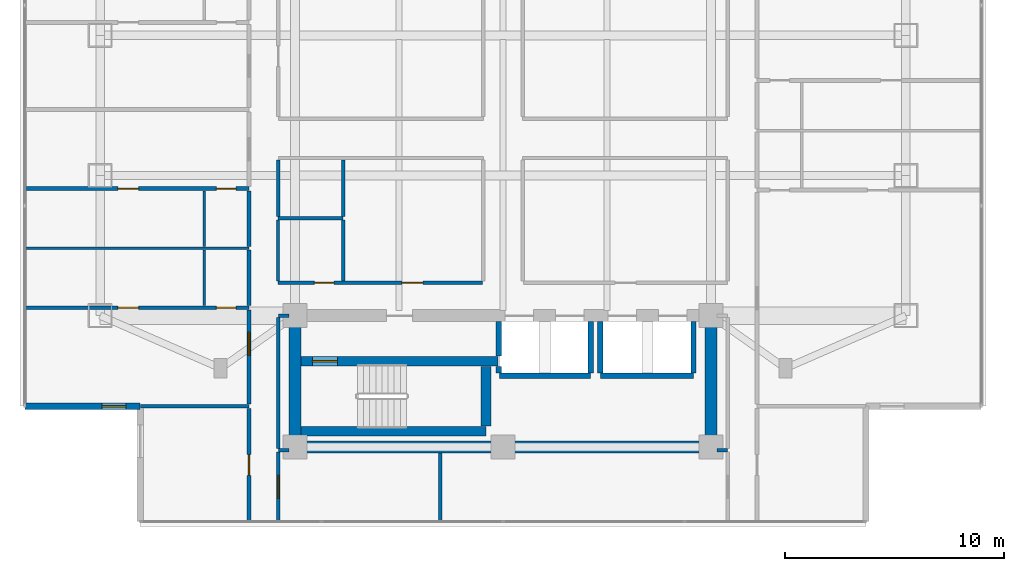
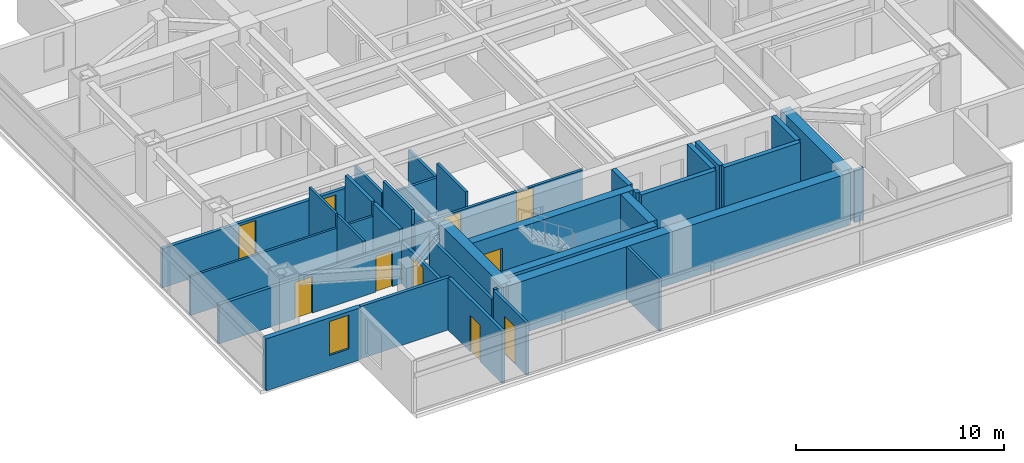
# One storey, part 13 of 24: 36 walls, 10 doors, 1 window, 11 openings.
"""IFC4 building model written with IfcOpenShell, lengths in metres."""

from ifc_helpers import new_model, si_unit, direction, frame, frame_2d, origin, place, context, subcontext, project, spatial, rectangle, extrude, material, layer, layer_set, type_object, element, fill, save


model = new_model("IFC4")

# Units and contexts
model_context = context("Model", 3, precision=1e-05, world=origin(), true_north=direction((0.0, 1.0)))
body_context = subcontext(model_context, "Body", "Model", "MODEL_VIEW")
ifc_project = project(units=[si_unit("LENGTHUNIT", "METRE"), si_unit("AREAUNIT", "SQUARE_METRE"), si_unit("VOLUMEUNIT", "CUBIC_METRE"), si_unit("PLANEANGLEUNIT", "RADIAN"), si_unit("MASSUNIT", "GRAM", prefix="KILO")], contexts=[model_context])

# Site, building, storey
site_placement = place(None, origin())
site = spatial("IfcSite", under=ifc_project, at=site_placement, CompositionType="ELEMENT")
building_placement = place(site_placement, origin())
building = spatial("IfcBuilding", under=site, at=building_placement, Name="Mirazonda Arch Towers", CompositionType="ELEMENT")
storey_placement = place(building_placement, frame((0.0, 0.0, 141.199951171875)))
storey = spatial("IfcBuildingStorey", under=building, at=storey_placement, Name="L40", CompositionType="ELEMENT", Elevation=141.199951171875)

# Wall
ifc_material_1 = material(Name="Concrete C50/60", Category="concrete")
ifc_layer_1 = layer(ifc_material_1, 0.449951171875, Name="WALL-CORE-450")
ifc_layer_set_1 = layer_set([ifc_layer_1], Name="Concrete C50/60")
wall_type_1 = type_object("IfcWallType", Name="WALL-CORE-450", PredefinedType="SHEAR", material=ifc_layer_set_1)
wall_1_placement = place(storey_placement, frame((11.27001953125, 13.1201171875, 0.0), z_axis=(0.0, 0.0, 1.0), x_axis=(1.0, 0.0, 0.0)))
element("IfcWall", 1, at=wall_1_placement, inside=storey, type_object=wall_type_1, Name="L40 Stair Core Shear Wall 003", PredefinedType="SHEAR", context=body_context, shape_type="SweptSolid", body=[
    extrude(rectangle(XDim=8.4599609375, YDim=0.449951171875, at=frame_2d((4.22998046875, 0.0))), origin(), (0.0, 0.0, 1.0), 3.080078125),
])

# Wall, opening, door
wall_2_placement = place(storey_placement, frame((11.27001953125, 16.320068359375, 0.0), z_axis=(0.0, 0.0, 1.0), x_axis=(1.0, 0.0, 0.0)))
wall_2 = element("IfcWall", 2, at=wall_2_placement, inside=storey, type_object=wall_type_1, Name="L40 Stair Core Shear Wall 008", PredefinedType="SHEAR", context=body_context, shape_type="SweptSolid", body=[
    extrude(rectangle(XDim=9.010009765625, YDim=0.449951171875, at=frame_2d((4.5048828125, 0.0))), origin(), (0.0, 0.0, 1.0), 3.080078125),
])
opening_1_placement = place(wall_2_placement, frame((0.52001953125, 0.0, 0.0)))
opening_1 = element("IfcOpeningElement", 3, at=opening_1_placement, cuts=wall_2, Name="Opening DR-135", PredefinedType="OPENING", context=body_context, shape_type="SweptSolid", body=[
    extrude(rectangle(XDim=1.14990234375, YDim=2.199951171875, at=frame_2d((0.574951171875, 1.10009765625))), frame((0.0, 0.23486328125, 0.0), z_axis=(0.0, -1.0, 0.0), x_axis=(1.0, 0.0, 0.0)), (0.0, 0.0, 1.0), 0.469970703125),
])
ifc_material_2 = material(Name="Architectural Brushed Steel S355", Category="steel")
door_type_1 = type_object("IfcDoorType", Name="DOOR-STAIR-FD90-1150", OperationType="NOTDEFINED", PredefinedType="DOOR", material=ifc_material_2)
door_1_placement = place(opening_1_placement, origin())
door_1 = element("IfcDoor", 4, at=door_1_placement, inside=storey, type_object=door_type_1, Name="L40 Protected Exit Stair South Door", OperationType="SINGLE_SWING_RIGHT", OverallHeight=2.199951171875, OverallWidth=1.14990234375, PredefinedType="DOOR", context=body_context, shape_type="SweptSolid", body=[
    extrude(rectangle(XDim=1.14990234375, YDim=2.199951171875, at=frame_2d((0.574951171875, 1.10009765625))), frame((0.0, 0.02490234375, 0.0), z_axis=(0.0, -1.0, 0.0), x_axis=(1.0, 0.0, 0.0)), (0.0, 0.0, 1.0), 0.050048828125),
])
fill(opening_1, door_1)

# Walls
wall_3_placement = place(storey_placement, frame((19.72998046875, 13.35498046875, 0.0), z_axis=(0.0, 0.0, 1.0), x_axis=(0.0, 1.0, 0.0)))
element("IfcWall", 5, at=wall_3_placement, inside=storey, type_object=wall_type_1, Name="L40 Stair Core Shear Wall 091", PredefinedType="SHEAR", context=body_context, shape_type="SweptSolid", body=[
    extrude(rectangle(XDim=2.72998046875, YDim=0.449951171875, at=frame_2d((1.364990234375, 0.0))), origin(), (0.0, 0.0, 1.0), 3.080078125),
])
ifc_layer_2 = layer(ifc_material_1, 0.550048828125, Name="WALL-CORE-550")
ifc_layer_set_2 = layer_set([ifc_layer_2], Name="Concrete C50/60")
wall_type_2 = type_object("IfcWallType", Name="WALL-CORE-550", PredefinedType="SHEAR", material=ifc_layer_set_2)
wall_4_placement = place(storey_placement, frame((11.0, 12.39990234375, 0.0), z_axis=(0.0, 0.0, 1.0), x_axis=(1.0, 0.0, 0.0)))
element("IfcWall", 6, at=wall_4_placement, inside=storey, type_object=wall_type_2, Name="L40 T1S-S Core Shear Wall", PredefinedType="SHEAR", context=body_context, shape_type="SweptSolid", body=[
    extrude(rectangle(XDim=19.0, YDim=0.550048828125, at=frame_2d((9.5, 0.0))), origin(), (0.0, 0.0, 1.0), 3.080078125),
])
for number, where, z_axis, x_axis, name in (
    (7, (11.0, 12.39990234375, 0.0), (0.0, 0.0, 1.0), (0.0, 1.0, 0.0), "L40 T1S-W Core Shear Wall"),
    (8, (30.0, 12.39990234375, 0.0), (0.0, 0.0, 1.0), (0.0, 1.0, 0.0), "L40 T1S-E Core Shear Wall"),
):
    element("IfcWall", number, at=place(storey_placement, frame(where, z_axis=z_axis, x_axis=x_axis)), inside=storey, type_object=wall_type_2, Name=name, PredefinedType="SHEAR", context=body_context, shape_type="SweptSolid", body=[
        extrude(rectangle(XDim=6.0, YDim=0.550048828125, at=frame_2d((3.0, 0.0))), origin(), (0.0, 0.0, 1.0), 3.080078125),
    ])

# Wall, opening, window
ifc_material_3 = material(Name="Precast Concrete C40/50", Category="concrete")
ifc_layer_3 = layer(ifc_material_3, 0.280029296875, Name="WALL-EXT-WALL-280")
ifc_layer_set_3 = layer_set([ifc_layer_3], Name="Precast Concrete C40/50")
wall_type_3 = type_object("IfcWallType", Name="WALL-EXT-WALL-280", PredefinedType="SOLIDWALL", material=ifc_layer_set_3)
wall_5_placement = place(storey_placement, frame((-1.340087890625, 14.263916015625, 0.0), z_axis=(0.0, 0.0, 1.0), x_axis=(1.0, 0.0, 0.0)))
wall_5 = element("IfcWall", 9, at=wall_5_placement, inside=storey, type_object=wall_type_3, Name="L40 T1 Corner Notch Return Wall WL-L40-T1-CSW2", PredefinedType="SOLIDWALL", context=body_context, shape_type="SweptSolid", body=[
    extrude(rectangle(XDim=5.27001953125, YDim=0.280029296875, at=frame_2d((2.635009765625, 0.0))), origin(), (0.0, 0.0, 1.0), 3.06005859375),
])
opening_2_placement = place(wall_5_placement, frame((3.52001953125, 0.0, 0.85009765625)))
opening_2 = element("IfcOpeningElement", 10, at=opening_2_placement, cuts=wall_5, Name="Opening WN-108", PredefinedType="OPENING", context=body_context, shape_type="SweptSolid", body=[
    extrude(rectangle(XDim=1.10009765625, YDim=2.0, at=frame_2d((0.550048828125, 1.0))), frame((0.0, 0.14990234375, 0.0), z_axis=(0.0, -1.0, 0.0), x_axis=(1.0, 0.0, 0.0)), (0.0, 0.0, 1.0), 0.300048828125),
])
ifc_material_4 = material(Name="Insulated Low-E Solar Glass", Category="glass")
window_type = type_object("IfcWindowType", Name="WIN-NOTCH-1100x2000", PartitioningType="SINGLE_PANEL", PredefinedType="WINDOW", material=ifc_material_4)
window_placement = place(opening_2_placement, origin())
window = element("IfcWindow", 11, at=window_placement, inside=storey, type_object=window_type, Name="L40 Punched Facade Window WN-L40-T1-CSW2", OverallHeight=2.0, OverallWidth=1.10009765625, PartitioningType="SINGLE_PANEL", PredefinedType="WINDOW", context=body_context, shape_type="SweptSolid", body=[
    extrude(rectangle(XDim=1.10009765625, YDim=2.0, at=frame_2d((0.550048828125, 1.0))), frame((0.0, 0.030029296875, 0.0), z_axis=(0.0, -1.0, 0.0), x_axis=(1.0, 0.0, 0.0)), (0.0, 0.0, 1.0), 0.06005859375),
])
fill(opening_2, window)

# Walls
ifc_material_5 = material(Name="Fire-Rated Gypsum Stud Partition")
ifc_layer_4 = layer(ifc_material_5, 0.14990234375, Name="WALL-PART-CORR-150")
ifc_layer_set_4 = layer_set([ifc_layer_4], Name="Fire-Rated Gypsum Stud Partition")
wall_type_4 = type_object("IfcWallType", Name="WALL-PART-CORR-150", PredefinedType="PARTITIONING", material=ifc_layer_set_4)
for number, where, z_axis, x_axis, name in (
    (12, (10.239990234375, 12.25, 0.0), (0.0, 0.0, 1.0), (1.0, 0.0, 0.0), "L40 Interior Partition 001"),
    (13, (30.27001953125, 12.25, 0.0), (0.0, 0.0, 1.0), (1.0, 0.0, 0.0), "L40 Interior Partition 002"),
):
    element("IfcWall", number, at=place(storey_placement, frame(where, z_axis=z_axis, x_axis=x_axis)), inside=storey, type_object=wall_type_4, Name=name, PredefinedType="PARTITIONING", context=body_context, shape_type="SweptSolid", body=[
        extrude(rectangle(XDim=0.489990234375, YDim=0.14990234375, at=frame_2d((0.2451171875, 0.0))), origin(), (0.0, 0.0, 1.0), 3.080078125),
    ])
wall_6_placement = place(storey_placement, frame((10.239990234375, 18.39990234375, 0.0), z_axis=(0.0, 0.0, 1.0), x_axis=(1.0, 0.0, 0.0)))
element("IfcWall", 14, at=wall_6_placement, inside=storey, type_object=wall_type_4, Name="L40 Interior Partition 012", PredefinedType="PARTITIONING", context=body_context, shape_type="SweptSolid", body=[
    extrude(rectangle(XDim=0.489990234375, YDim=0.14990234375, at=frame_2d((0.2451171875, 0.0))), origin(), (0.0, 0.0, 1.0), 2.4560546875),
])

# Wall, openings, doors
wall_7_placement = place(storey_placement, frame((10.219970703125, 19.89990234375, 0.0), z_axis=(0.0, 0.0, 1.0), x_axis=(1.0, 0.0, 0.0)))
wall_7 = element("IfcWall", 15, at=wall_7_placement, inside=storey, type_object=wall_type_4, Name="L40 Interior Partition 016", PredefinedType="PARTITIONING", context=body_context, shape_type="SweptSolid", body=[
    extrude(rectangle(XDim=9.340087890625, YDim=0.14990234375, at=frame_2d((4.669921875, 0.0))), origin(), (0.0, 0.0, 1.0), 2.216064453125),
])
opening_3_placement = place(wall_7_placement, frame((1.659912109375, 0.0, 0.0)))
opening_3 = element("IfcOpeningElement", 16, at=opening_3_placement, cuts=wall_7, Name="Opening DR-120", PredefinedType="OPENING", context=body_context, shape_type="SweptSolid", body=[
    extrude(rectangle(XDim=0.89990234375, YDim=2.10009765625, at=frame_2d((0.449951171875, 1.050048828125))), frame((0.0, 0.0849609375, 0.0), z_axis=(0.0, -1.0, 0.0), x_axis=(1.0, 0.0, 0.0)), (0.0, 0.0, 1.0), 0.169921875),
])
opening_4_placement = place(wall_7_placement, frame((5.6650390625, 0.0, 0.0)))
opening_4 = element("IfcOpeningElement", 17, at=opening_4_placement, cuts=wall_7, Name="Opening DR-104", PredefinedType="OPENING", context=body_context, shape_type="SweptSolid", body=[
    extrude(rectangle(XDim=0.949951171875, YDim=2.14990234375, at=frame_2d((0.47509765625, 1.074951171875))), frame((0.0, 0.0849609375, 0.0), z_axis=(0.0, -1.0, 0.0), x_axis=(1.0, 0.0, 0.0)), (0.0, 0.0, 1.0), 0.169921875),
])
door_type_2 = type_object("IfcDoorType", Name="DOOR-ROOM-950", OperationType="NOTDEFINED", PredefinedType="DOOR", material=ifc_material_2)
door_2_placement = place(opening_4_placement, origin())
door_2 = element("IfcDoor", 18, at=door_2_placement, inside=storey, type_object=door_type_2, Name="L40 L40 West Courtyard Study Door", OperationType="SINGLE_SWING_RIGHT", OverallHeight=2.14990234375, OverallWidth=0.949951171875, PredefinedType="DOOR", context=body_context, shape_type="SweptSolid", body=[
    extrude(rectangle(XDim=0.949951171875, YDim=2.14990234375, at=frame_2d((0.47509765625, 1.074951171875))), frame((0.0, 0.02490234375, 0.0), z_axis=(0.0, -1.0, 0.0), x_axis=(1.0, 0.0, 0.0)), (0.0, 0.0, 1.0), 0.050048828125),
])
fill(opening_4, door_2)
door_type_3 = type_object("IfcDoorType", Name="DOOR-WC-900", OperationType="NOTDEFINED", PredefinedType="DOOR", material=ifc_material_2)
door_3_placement = place(opening_3_placement, origin())
door_3 = element("IfcDoor", 19, at=door_3_placement, inside=storey, type_object=door_type_3, Name="L40 Common Accessible WC Door", OperationType="SINGLE_SWING_LEFT", OverallHeight=2.10009765625, OverallWidth=0.89990234375, PredefinedType="DOOR", context=body_context, shape_type="SweptSolid", body=[
    extrude(rectangle(XDim=0.89990234375, YDim=2.10009765625, at=frame_2d((0.449951171875, 1.050048828125))), frame((0.0, 0.02490234375, 0.0), z_axis=(0.0, -1.0, 0.0), x_axis=(1.0, 0.0, 0.0)), (0.0, 0.0, 1.0), 0.050048828125),
])
fill(opening_3, door_3)

# Walls
wall_8_placement = place(storey_placement, frame((10.219970703125, 22.85009765625, 0.0), z_axis=(0.0, 0.0, 1.0), x_axis=(1.0, 0.0, 0.0)))
element("IfcWall", 20, at=wall_8_placement, inside=storey, type_object=wall_type_4, Name="L40 Interior Partition 024", PredefinedType="PARTITIONING", context=body_context, shape_type="SweptSolid", body=[
    extrude(rectangle(XDim=2.97998046875, YDim=0.14990234375, at=frame_2d((1.489990234375, 0.0))), origin(), (0.0, 0.0, 1.0), 2.216064453125),
])
wall_9_placement = place(storey_placement, frame((10.219970703125, 19.985107421875, 0.0), z_axis=(0.0, 0.0, 1.0), x_axis=(0.0, 1.0, 0.0)))
element("IfcWall", 21, at=wall_9_placement, inside=storey, type_object=wall_type_4, Name="L40 Interior Partition 077", PredefinedType="PARTITIONING", context=body_context, shape_type="SweptSolid", body=[
    extrude(rectangle(XDim=2.77978515625, YDim=0.14990234375, at=frame_2d((1.389892578125, 0.0))), origin(), (0.0, 0.0, 1.0), 3.080078125),
])

# Wall, opening, door
wall_10_placement = place(storey_placement, frame((10.239990234375, 8.993896484375, 0.0), z_axis=(0.0, 0.0, 1.0), x_axis=(0.0, 1.0, 0.0)))
wall_10 = element("IfcWall", 22, at=wall_10_placement, inside=storey, type_object=wall_type_4, Name="L40 Interior Partition 078", PredefinedType="PARTITIONING", context=body_context, shape_type="SweptSolid", body=[
    extrude(rectangle(XDim=3.171142578125, YDim=0.14990234375, at=frame_2d((1.58544921875, 0.0))), origin(), (0.0, 0.0, 1.0), 3.080078125),
])
opening_5_placement = place(wall_10_placement, frame((1.060546875, 0.0, 0.0)))
opening_5 = element("IfcOpeningElement", 23, at=opening_5_placement, cuts=wall_10, Name="Opening DR-121", PredefinedType="OPENING", context=body_context, shape_type="SweptSolid", body=[
    extrude(rectangle(XDim=1.050048828125, YDim=2.199951171875, at=frame_2d((0.52490234375, 1.10009765625))), frame((0.0, 0.0849609375, 0.0), z_axis=(0.0, -1.0, 0.0), x_axis=(1.0, 0.0, 0.0)), (0.0, 0.0, 1.0), 0.169921875),
])
door_type_4 = type_object("IfcDoorType", Name="DOOR-SUITE-FD60-1050", OperationType="NOTDEFINED", PredefinedType="DOOR", material=ifc_material_2)
door_4_placement = place(opening_5_placement, origin())
door_4 = element("IfcDoor", 24, at=door_4_placement, inside=storey, type_object=door_type_4, Name="L40 South Horizon Lounge Minor Door", OperationType="SINGLE_SWING_RIGHT", OverallHeight=2.199951171875, OverallWidth=1.050048828125, PredefinedType="DOOR", context=body_context, shape_type="SweptSolid", body=[
    extrude(rectangle(XDim=1.050048828125, YDim=2.199951171875, at=frame_2d((0.52490234375, 1.10009765625))), frame((0.0, 0.02490234375, 0.0), z_axis=(0.0, -1.0, 0.0), x_axis=(1.0, 0.0, 0.0)), (0.0, 0.0, 1.0), 0.050048828125),
])
fill(opening_5, door_4)

# Walls
wall_11_placement = place(storey_placement, frame((10.239990234375, 12.3349609375, 0.0), z_axis=(0.0, 0.0, 1.0), x_axis=(0.0, 1.0, 0.0)))
element("IfcWall", 25, at=wall_11_placement, inside=storey, type_object=wall_type_4, Name="L40 Interior Partition 079", PredefinedType="PARTITIONING", context=body_context, shape_type="SweptSolid", body=[
    extrude(rectangle(XDim=5.97998046875, YDim=0.14990234375, at=frame_2d((2.989990234375, 0.0))), origin(), (0.0, 0.0, 1.0), 2.4560546875),
])
wall_12_placement = place(storey_placement, frame((10.239990234375, 22.93505859375, 0.0), z_axis=(0.0, 0.0, 1.0), x_axis=(0.0, 1.0, 0.0)))
element("IfcWall", 26, at=wall_12_placement, inside=storey, type_object=wall_type_4, Name="L40 Interior Partition 080", PredefinedType="PARTITIONING", context=body_context, shape_type="SweptSolid", body=[
    extrude(rectangle(XDim=2.579833984375, YDim=0.14990234375, at=frame_2d((1.2900390625, 0.0))), origin(), (0.0, 0.0, 1.0), 2.299072265625),
])
wall_13_placement = place(storey_placement, frame((13.199951171875, 19.985107421875, 0.0), z_axis=(0.0, 0.0, 1.0), x_axis=(0.0, 1.0, 0.0)))
element("IfcWall", 27, at=wall_13_placement, inside=storey, type_object=wall_type_4, Name="L40 Interior Partition 085", PredefinedType="PARTITIONING", context=body_context, shape_type="SweptSolid", body=[
    extrude(rectangle(XDim=2.77978515625, YDim=0.14990234375, at=frame_2d((1.389892578125, 0.0))), origin(), (0.0, 0.0, 1.0), 3.080078125),
])
wall_14_placement = place(storey_placement, frame((13.199951171875, 22.93505859375, 0.0), z_axis=(0.0, 0.0, 1.0), x_axis=(0.0, 1.0, 0.0)))
element("IfcWall", 28, at=wall_14_placement, inside=storey, type_object=wall_type_4, Name="L40 Interior Partition 086", PredefinedType="PARTITIONING", context=body_context, shape_type="SweptSolid", body=[
    extrude(rectangle(XDim=2.579833984375, YDim=0.14990234375, at=frame_2d((1.2900390625, 0.0))), origin(), (0.0, 0.0, 1.0), 2.216064453125),
])
wall_15_placement = place(storey_placement, frame((17.626953125, 8.993896484375, 0.0), z_axis=(0.0, 0.0, 1.0), x_axis=(0.0, 1.0, 0.0)))
element("IfcWall", 29, at=wall_15_placement, inside=storey, type_object=wall_type_4, Name="L40 Interior Partition 088", PredefinedType="PARTITIONING", context=body_context, shape_type="SweptSolid", body=[
    extrude(rectangle(XDim=3.135986328125, YDim=0.14990234375, at=frame_2d((1.56787109375, 0.0))), origin(), (0.0, 0.0, 1.0), 3.080078125),
])
ifc_material_6 = material(Name="Fire-Rated Gypsum Twin-Stud Assembly")
ifc_layer_5 = layer(ifc_material_6, 0.179931640625, Name="WALL-PART-DEMISE-180")
ifc_layer_set_5 = layer_set([ifc_layer_5], Name="Fire-Rated Gypsum Twin-Stud Assembly")
wall_type_5 = type_object("IfcWallType", Name="WALL-PART-DEMISE-180", PredefinedType="PARTITIONING", material=ifc_layer_set_5)
wall_16_placement = place(storey_placement, frame((3.949951171875, 14.263916015625, 0.0), z_axis=(0.0, 0.0, 1.0), x_axis=(1.0, 0.0, 0.0)))
element("IfcWall", 30, at=wall_16_placement, inside=storey, type_object=wall_type_5, Name="L40 Interior Partition 004", PredefinedType="PARTITIONING", context=body_context, shape_type="SweptSolid", body=[
    extrude(rectangle(XDim=4.949951171875, YDim=0.179931640625, at=frame_2d((2.47509765625, 0.0))), origin(), (0.0, 0.0, 1.0), 3.080078125),
])

# Wall, openings, doors
wall_17_placement = place(storey_placement, frame((-1.340087890625, 18.761962890625, 0.0), z_axis=(0.0, 0.0, 1.0), x_axis=(1.0, 0.0, 0.0)))
wall_17 = element("IfcWall", 31, at=wall_17_placement, inside=storey, type_object=wall_type_5, Name="L40 Interior Partition 015", PredefinedType="PARTITIONING", context=body_context, shape_type="SweptSolid", body=[
    extrude(rectangle(XDim=10.239990234375, YDim=0.179931640625, at=frame_2d((5.1201171875, 0.0))), origin(), (0.0, 0.0, 1.0), 2.299072265625),
])
opening_6_placement = place(wall_17_placement, frame((4.2451171875, 0.0, 0.0)))
opening_6 = element("IfcOpeningElement", 32, at=opening_6_placement, cuts=wall_17, Name="Opening DR-104", PredefinedType="OPENING", context=body_context, shape_type="SweptSolid", body=[
    extrude(rectangle(XDim=0.949951171875, YDim=2.14990234375, at=frame_2d((0.47509765625, 1.074951171875))), frame((0.0, 0.099853515625, 0.0), z_axis=(0.0, -1.0, 0.0), x_axis=(1.0, 0.0, 0.0)), (0.0, 0.0, 1.0), 0.199951171875),
])
opening_7_placement = place(wall_17_placement, frame((8.75, 0.0, 0.0)))
opening_7 = element("IfcOpeningElement", 33, at=opening_7_placement, cuts=wall_17, Name="Opening DR-120", PredefinedType="OPENING", context=body_context, shape_type="SweptSolid", body=[
    extrude(rectangle(XDim=0.89990234375, YDim=2.10009765625, at=frame_2d((0.449951171875, 1.050048828125))), frame((0.0, 0.099853515625, 0.0), z_axis=(0.0, -1.0, 0.0), x_axis=(1.0, 0.0, 0.0)), (0.0, 0.0, 1.0), 0.199951171875),
])
door_5_placement = place(opening_6_placement, origin())
door_5 = element("IfcDoor", 34, at=door_5_placement, inside=storey, type_object=door_type_2, Name="L40 Guestroom Study 1 Door", OperationType="SINGLE_SWING_LEFT", OverallHeight=2.14990234375, OverallWidth=0.949951171875, PredefinedType="DOOR", context=body_context, shape_type="SweptSolid", body=[
    extrude(rectangle(XDim=0.949951171875, YDim=2.14990234375, at=frame_2d((0.47509765625, 1.074951171875))), frame((0.0, 0.02490234375, 0.0), z_axis=(0.0, -1.0, 0.0), x_axis=(1.0, 0.0, 0.0)), (0.0, 0.0, 1.0), 0.050048828125),
])
fill(opening_6, door_5)
door_6_placement = place(opening_7_placement, origin())
door_6 = element("IfcDoor", 35, at=door_6_placement, inside=storey, type_object=door_type_3, Name="L40 En-Suite Bathroom 1 Door", OperationType="SINGLE_SWING_RIGHT", OverallHeight=2.10009765625, OverallWidth=0.89990234375, PredefinedType="DOOR", context=body_context, shape_type="SweptSolid", body=[
    extrude(rectangle(XDim=0.89990234375, YDim=2.10009765625, at=frame_2d((0.449951171875, 1.050048828125))), frame((0.0, 0.02490234375, 0.0), z_axis=(0.0, -1.0, 0.0), x_axis=(1.0, 0.0, 0.0)), (0.0, 0.0, 1.0), 0.050048828125),
])
fill(opening_7, door_6)

wall_18_placement = place(storey_placement, frame((-1.340087890625, 24.201904296875, 0.0), z_axis=(0.0, 0.0, 1.0), x_axis=(1.0, 0.0, 0.0)))
wall_18 = element("IfcWall", 36, at=wall_18_placement, inside=storey, type_object=wall_type_5, Name="L40 Interior Partition 026", PredefinedType="PARTITIONING", context=body_context, shape_type="SweptSolid", body=[
    extrude(rectangle(XDim=10.239990234375, YDim=0.179931640625, at=frame_2d((5.1201171875, 0.0))), origin(), (0.0, 0.0, 1.0), 2.299072265625),
])
opening_8_placement = place(wall_18_placement, frame((4.2451171875, 0.0, 0.0)))
opening_8 = element("IfcOpeningElement", 37, at=opening_8_placement, cuts=wall_18, Name="Opening DR-104", PredefinedType="OPENING", context=body_context, shape_type="SweptSolid", body=[
    extrude(rectangle(XDim=0.949951171875, YDim=2.14990234375, at=frame_2d((0.47509765625, 1.074951171875))), frame((0.0, 0.099853515625, 0.0), z_axis=(0.0, -1.0, 0.0), x_axis=(1.0, 0.0, 0.0)), (0.0, 0.0, 1.0), 0.199951171875),
])
opening_9_placement = place(wall_18_placement, frame((8.75, 0.0, 0.0)))
opening_9 = element("IfcOpeningElement", 38, at=opening_9_placement, cuts=wall_18, Name="Opening DR-120", PredefinedType="OPENING", context=body_context, shape_type="SweptSolid", body=[
    extrude(rectangle(XDim=0.89990234375, YDim=2.10009765625, at=frame_2d((0.449951171875, 1.050048828125))), frame((0.0, 0.099853515625, 0.0), z_axis=(0.0, -1.0, 0.0), x_axis=(1.0, 0.0, 0.0)), (0.0, 0.0, 1.0), 0.199951171875),
])
door_7_placement = place(opening_8_placement, origin())
door_7 = element("IfcDoor", 39, at=door_7_placement, inside=storey, type_object=door_type_2, Name="L40 Guestroom Study 2 Door", OperationType="SINGLE_SWING_RIGHT", OverallHeight=2.14990234375, OverallWidth=0.949951171875, PredefinedType="DOOR", context=body_context, shape_type="SweptSolid", body=[
    extrude(rectangle(XDim=0.949951171875, YDim=2.14990234375, at=frame_2d((0.47509765625, 1.074951171875))), frame((0.0, 0.02490234375, 0.0), z_axis=(0.0, -1.0, 0.0), x_axis=(1.0, 0.0, 0.0)), (0.0, 0.0, 1.0), 0.050048828125),
])
fill(opening_8, door_7)
door_8_placement = place(opening_9_placement, origin())
door_8 = element("IfcDoor", 40, at=door_8_placement, inside=storey, type_object=door_type_3, Name="L40 En-Suite Bathroom 2 Door", OperationType="SINGLE_SWING_LEFT", OverallHeight=2.10009765625, OverallWidth=0.89990234375, PredefinedType="DOOR", context=body_context, shape_type="SweptSolid", body=[
    extrude(rectangle(XDim=0.89990234375, YDim=2.10009765625, at=frame_2d((0.449951171875, 1.050048828125))), frame((0.0, 0.02490234375, 0.0), z_axis=(0.0, -1.0, 0.0), x_axis=(1.0, 0.0, 0.0)), (0.0, 0.0, 1.0), 0.050048828125),
])
fill(opening_9, door_8)

# Wall, opening, door
wall_19_placement = place(storey_placement, frame((8.89990234375, 8.993896484375, 0.0), z_axis=(0.0, 0.0, 1.0), x_axis=(0.0, 1.0, 0.0)))
wall_19 = element("IfcWall", 41, at=wall_19_placement, inside=storey, type_object=wall_type_5, Name="L40 Interior Partition 067", PredefinedType="PARTITIONING", context=body_context, shape_type="SweptSolid", body=[
    extrude(rectangle(XDim=5.170166015625, YDim=0.179931640625, at=frame_2d((2.5849609375, 0.0))), origin(), (0.0, 0.0, 1.0), 3.080078125),
])
opening_10_placement = place(wall_19_placement, frame((2.110107421875, 0.0, 0.0)))
opening_10 = element("IfcOpeningElement", 42, at=opening_10_placement, cuts=wall_19, Name="Opening DR-104", PredefinedType="OPENING", context=body_context, shape_type="SweptSolid", body=[
    extrude(rectangle(XDim=0.949951171875, YDim=2.14990234375, at=frame_2d((0.47509765625, 1.074951171875))), frame((0.0, 0.099853515625, 0.0), z_axis=(0.0, -1.0, 0.0), x_axis=(1.0, 0.0, 0.0)), (0.0, 0.0, 1.0), 0.199951171875),
])
door_9_placement = place(opening_10_placement, origin())
door_9 = element("IfcDoor", 43, at=door_9_placement, inside=storey, type_object=door_type_2, Name="L40 South Horizon Lounge Alcove West Door", OperationType="SINGLE_SWING_RIGHT", OverallHeight=2.14990234375, OverallWidth=0.949951171875, PredefinedType="DOOR", context=body_context, shape_type="SweptSolid", body=[
    extrude(rectangle(XDim=0.949951171875, YDim=2.14990234375, at=frame_2d((0.47509765625, 1.074951171875))), frame((0.0, 0.02490234375, 0.0), z_axis=(0.0, -1.0, 0.0), x_axis=(1.0, 0.0, 0.0)), (0.0, 0.0, 1.0), 0.050048828125),
])
fill(opening_10, door_9)

wall_20_placement = place(storey_placement, frame((8.89990234375, 14.364013671875, 0.0), z_axis=(0.0, 0.0, 1.0), x_axis=(0.0, 1.0, 0.0)))
wall_20 = element("IfcWall", 44, at=wall_20_placement, inside=storey, type_object=wall_type_5, Name="L40 Interior Partition 068", PredefinedType="PARTITIONING", context=body_context, shape_type="SweptSolid", body=[
    extrude(rectangle(XDim=4.298095703125, YDim=0.179931640625, at=frame_2d((2.14892578125, 0.0))), origin(), (0.0, 0.0, 1.0), 2.4560546875),
])
opening_11_placement = place(wall_20_placement, frame((2.22412109375, 0.0, 0.0)))
opening_11 = element("IfcOpeningElement", 45, at=opening_11_placement, cuts=wall_20, Name="Opening DR-121", PredefinedType="OPENING", context=body_context, shape_type="SweptSolid", body=[
    extrude(rectangle(XDim=1.050048828125, YDim=2.199951171875, at=frame_2d((0.52490234375, 1.10009765625))), frame((0.0, 0.099853515625, 0.0), z_axis=(0.0, -1.0, 0.0), x_axis=(1.0, 0.0, 0.0)), (0.0, 0.0, 1.0), 0.199951171875),
])
door_10_placement = place(opening_11_placement, origin())
door_10 = element("IfcDoor", 46, at=door_10_placement, inside=storey, type_object=door_type_4, Name="L40 King Hotel Guestroom 1 Door", OperationType="SINGLE_SWING_RIGHT", OverallHeight=2.199951171875, OverallWidth=1.050048828125, PredefinedType="DOOR", context=body_context, shape_type="SweptSolid", body=[
    extrude(rectangle(XDim=1.050048828125, YDim=2.199951171875, at=frame_2d((0.52490234375, 1.10009765625))), frame((0.0, 0.02490234375, 0.0), z_axis=(0.0, -1.0, 0.0), x_axis=(1.0, 0.0, 0.0)), (0.0, 0.0, 1.0), 0.050048828125),
])
fill(opening_11, door_10)

# Walls
wall_21_placement = place(storey_placement, frame((8.89990234375, 18.862060546875, 0.0), z_axis=(0.0, 0.0, 1.0), x_axis=(0.0, 1.0, 0.0)))
element("IfcWall", 47, at=wall_21_placement, inside=storey, type_object=wall_type_5, Name="L40 Interior Partition 069", PredefinedType="PARTITIONING", context=body_context, shape_type="SweptSolid", body=[
    extrude(rectangle(XDim=2.54736328125, YDim=0.179931640625, at=frame_2d((1.273681640625, 0.0))), origin(), (0.0, 0.0, 1.0), 3.080078125),
])
wall_22_placement = place(storey_placement, frame((8.89990234375, 21.554443359375, 0.0), z_axis=(0.0, 0.0, 1.0), x_axis=(0.0, 1.0, 0.0)))
element("IfcWall", 48, at=wall_22_placement, inside=storey, type_object=wall_type_5, Name="L40 Interior Partition 070", PredefinedType="PARTITIONING", context=body_context, shape_type="SweptSolid", body=[
    extrude(rectangle(XDim=2.547607421875, YDim=0.179931640625, at=frame_2d((1.27392578125, 0.0))), origin(), (0.0, 0.0, 1.0), 3.080078125),
])
ifc_material_7 = material(Name="Acoustic Fire-Rated Gypsum Partition")
ifc_layer_6 = layer(ifc_material_7, 0.125, Name="WALL-PART-UNIT-125")
ifc_layer_set_6 = layer_set([ifc_layer_6], Name="Acoustic Fire-Rated Gypsum Partition")
wall_type_6 = type_object("IfcWallType", Name="WALL-PART-UNIT-125", PredefinedType="PARTITIONING", material=ifc_layer_set_6)
wall_23_placement = place(storey_placement, frame((-1.340087890625, 21.48193359375, 0.0), z_axis=(0.0, 0.0, 1.0), x_axis=(1.0, 0.0, 0.0)))
element("IfcWall", 49, at=wall_23_placement, inside=storey, type_object=wall_type_6, Name="L40 Interior Partition 022", PredefinedType="PARTITIONING", context=body_context, shape_type="SweptSolid", body=[
    extrude(rectangle(XDim=10.239990234375, YDim=0.125, at=frame_2d((5.1201171875, 0.0))), origin(), (0.0, 0.0, 1.0), 2.299072265625),
])
wall_24_placement = place(storey_placement, frame((6.860107421875, 18.862060546875, 0.0), z_axis=(0.0, 0.0, 1.0), x_axis=(0.0, 1.0, 0.0)))
element("IfcWall", 50, at=wall_24_placement, inside=storey, type_object=wall_type_6, Name="L40 Interior Partition 063", PredefinedType="PARTITIONING", context=body_context, shape_type="SweptSolid", body=[
    extrude(rectangle(XDim=2.54736328125, YDim=0.125, at=frame_2d((1.273681640625, 0.0))), origin(), (0.0, 0.0, 1.0), 3.080078125),
])
wall_25_placement = place(storey_placement, frame((6.860107421875, 21.554443359375, 0.0), z_axis=(0.0, 0.0, 1.0), x_axis=(0.0, 1.0, 0.0)))
element("IfcWall", 51, at=wall_25_placement, inside=storey, type_object=wall_type_6, Name="L40 Interior Partition 064", PredefinedType="PARTITIONING", context=body_context, shape_type="SweptSolid", body=[
    extrude(rectangle(XDim=2.547607421875, YDim=0.125, at=frame_2d((1.27392578125, 0.0))), origin(), (0.0, 0.0, 1.0), 3.080078125),
])
ifc_material_8 = material(Name="Concrete C40/50", Category="concrete")
ifc_layer_7 = layer(ifc_material_8, 0.25, Name="WALL-SHAFT-250")
ifc_layer_set_7 = layer_set([ifc_layer_7], Name="Concrete C40/50")
wall_type_7 = type_object("IfcWallType", Name="WALL-SHAFT-250", PredefinedType="SOLIDWALL", material=ifc_layer_set_7)
wall_26_placement = place(storey_placement, frame((20.35009765625, 15.64990234375, 0.0), z_axis=(0.0, 0.0, 1.0), x_axis=(1.0, 0.0, 0.0)))
element("IfcWall", 52, at=wall_26_placement, inside=storey, type_object=wall_type_7, Name="L40 Interior Partition 006", PredefinedType="SOLIDWALL", context=body_context, shape_type="SweptSolid", body=[
    extrude(rectangle(XDim=4.14990234375, YDim=0.25, at=frame_2d((2.074951171875, 0.0))), origin(), (0.0, 0.0, 1.0), 3.080078125),
])
wall_27_placement = place(storey_placement, frame((24.949951171875, 15.64990234375, 0.0), z_axis=(0.0, 0.0, 1.0), x_axis=(1.0, 0.0, 0.0)))
element("IfcWall", 53, at=wall_27_placement, inside=storey, type_object=wall_type_7, Name="L40 Interior Partition 007", PredefinedType="SOLIDWALL", context=body_context, shape_type="SweptSolid", body=[
    extrude(rectangle(XDim=4.25, YDim=0.25, at=frame_2d((2.125, 0.0))), origin(), (0.0, 0.0, 1.0), 3.080078125),
])
wall_28_placement = place(storey_placement, frame((20.31494140625, 15.784912109375, 0.0), z_axis=(0.0, 0.0, 1.0), x_axis=(0.0, 1.0, 0.0)))
element("IfcWall", 54, at=wall_28_placement, inside=storey, type_object=wall_type_7, Name="L40 Interior Partition 093", PredefinedType="SOLIDWALL", context=body_context, shape_type="SweptSolid", body=[
    extrude(rectangle(XDim=0.300048828125, YDim=0.25, at=frame_2d((0.14990234375, 0.0))), origin(), (0.0, 0.0, 1.0), 3.080078125),
])
wall_29_placement = place(storey_placement, frame((20.31494140625, 16.554931640625, 0.0), z_axis=(0.0, 0.0, 1.0), x_axis=(0.0, 1.0, 0.0)))
element("IfcWall", 55, at=wall_29_placement, inside=storey, type_object=wall_type_7, Name="L40 Interior Partition 094", PredefinedType="SOLIDWALL", context=body_context, shape_type="SweptSolid", body=[
    extrude(rectangle(XDim=1.574951171875, YDim=0.25, at=frame_2d((0.78759765625, 0.0))), origin(), (0.0, 0.0, 1.0), 3.080078125),
])
for number, where, z_axis, x_axis, name in (
    (56, (24.5, 15.784912109375, 0.0), (0.0, 0.0, 1.0), (0.0, 1.0, 0.0), "L40 Interior Partition 098"),
    (57, (24.949951171875, 15.784912109375, 0.0), (0.0, 0.0, 1.0), (0.0, 1.0, 0.0), "L40 Interior Partition 100"),
    (58, (29.199951171875, 15.784912109375, 0.0), (0.0, 0.0, 1.0), (0.0, 1.0, 0.0), "L40 Interior Partition 103"),
):
    element("IfcWall", number, at=place(storey_placement, frame(where, z_axis=z_axis, x_axis=x_axis)), inside=storey, type_object=wall_type_7, Name=name, PredefinedType="SOLIDWALL", context=body_context, shape_type="SweptSolid", body=[
        extrude(rectangle(XDim=2.344970703125, YDim=0.25, at=frame_2d((1.17236328125, 0.0))), origin(), (0.0, 0.0, 1.0), 3.080078125),
    ])

save(model, "model.ifc")
